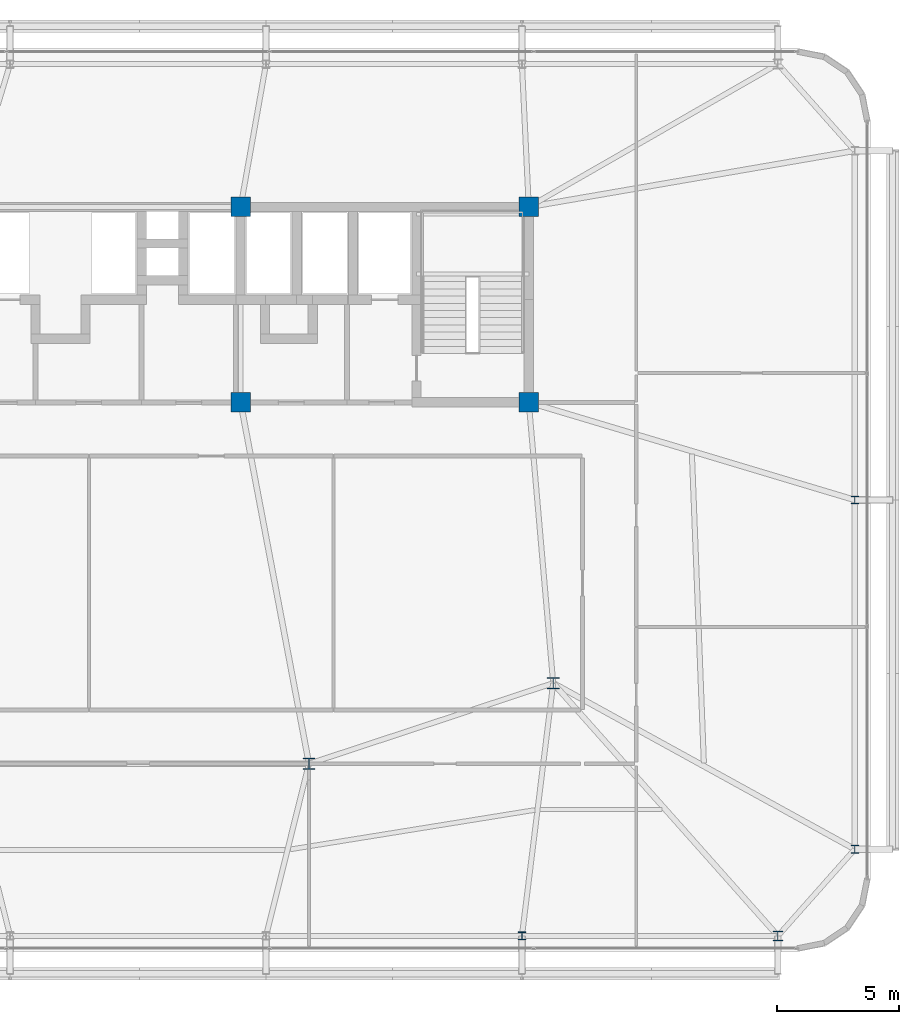
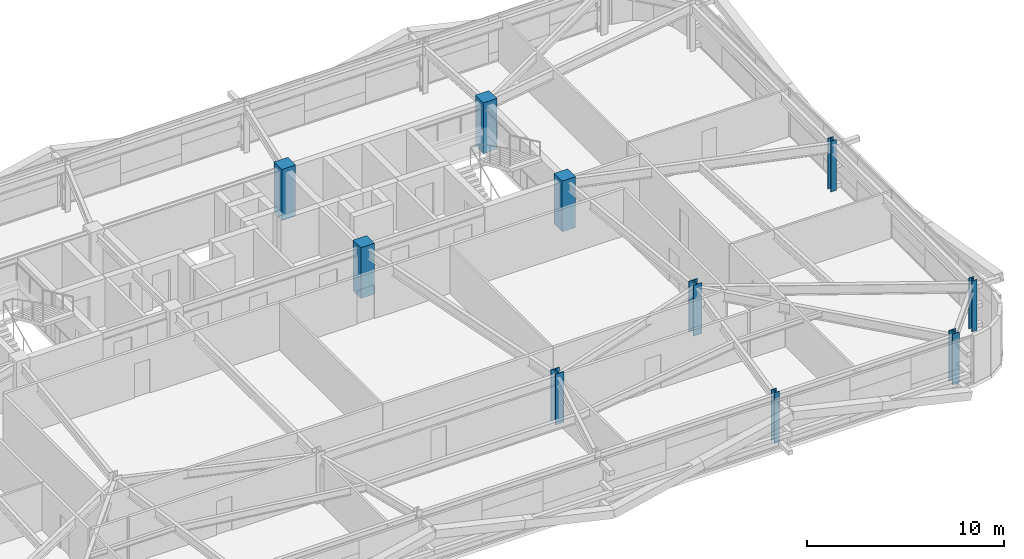
# One storey, part 2 of 44: 10 columns.
"""IFC4 building model written with IfcOpenShell, lengths in metres."""

from ifc_helpers import new_model, si_unit, direction, frame, origin, origin_2d, place, context, subcontext, project, spatial, rectangle, i_section, extrude, source, transform, mapped, material, material_profile, profile_set, type_object, element, save


model = new_model("IFC4")

# Units and contexts
model_context = context("Model", 3, precision=1e-05, world=origin(), true_north=direction((0.0, 1.0)))
body_context = subcontext(model_context, "Body", "Model", "MODEL_VIEW")
ifc_project = project(units=[si_unit("LENGTHUNIT", "METRE"), si_unit("AREAUNIT", "SQUARE_METRE"), si_unit("VOLUMEUNIT", "CUBIC_METRE"), si_unit("PLANEANGLEUNIT", "RADIAN"), si_unit("MASSUNIT", "GRAM", prefix="KILO")], contexts=[model_context])

# Site, building, storey
site_placement = place(None, origin())
site = spatial("IfcSite", under=ifc_project, at=site_placement, CompositionType="ELEMENT")
building_placement = place(site_placement, origin())
building = spatial("IfcBuilding", under=site, at=building_placement, Name="Taldren Reach Tower", CompositionType="ELEMENT")
storey_placement = place(building_placement, frame((0.0, 0.0, 38.85009765625)))
storey = spatial("IfcBuildingStorey", under=building, at=storey_placement, Name="L11", CompositionType="ELEMENT", Elevation=38.85009765625)

# Columns
ifc_material_1 = material(Name="Steel Gr 350 (350PLUS)", Category="steel")
ifc_material_profile_1 = material_profile(ifc_material_1, i_section(OverallWidth=0.5, OverallDepth=0.47998046875, WebThickness=0.028076171875, FlangeThickness=0.0439453125, at=origin_2d()), Name="500WC440")
ifc_profile_set_1 = profile_set([ifc_material_profile_1], Name="Steel Gr 350 (350PLUS)")
column_type_1 = type_object("IfcColumnType", Name="COL-WC500A", PredefinedType="COLUMN", material=ifc_profile_set_1)
shared_shape_1 = source(origin(), body_context, "Body", "SweptSolid", [
    extrude(i_section(OverallWidth=0.5, OverallDepth=0.47998046875, WebThickness=0.028076171875, FlangeThickness=0.0439453125, at=origin_2d()), origin(), (0.0, 0.0, 1.0), 3.14990234375),
])
column_1_placement = place(storey_placement, frame((42.0, 9.199951171875, 0.0), z_axis=(0.0, 0.0, 1.0), x_axis=(1.0, 0.0, 0.0)))
element("IfcColumn", 1, at=column_1_placement, inside=storey, type_object=column_type_1, Name="Mega column MC-PJE L11", PredefinedType="COLUMN", context=body_context, shape_type="MappedRepresentation", body=[
    mapped(shared_shape_1, transform((0.0, 0.0, 0.0), scale=1.0)),
])
ifc_material_profile_2 = material_profile(ifc_material_1, i_section(OverallWidth=0.39990234375, OverallDepth=0.39599609375, WebThickness=0.02197265625, FlangeThickness=0.033935546875, at=origin_2d()), Name="400WC270")
ifc_profile_set_2 = profile_set([ifc_material_profile_2], Name="Steel Gr 350 (350PLUS)")
column_type_2 = type_object("IfcColumnType", Name="COL-WC400", PredefinedType="COLUMN", material=ifc_profile_set_2)
shared_shape_2 = source(origin(), body_context, "Body", "SweptSolid", [
    extrude(i_section(OverallWidth=0.39990234375, OverallDepth=0.39599609375, WebThickness=0.02197265625, FlangeThickness=0.033935546875, at=origin_2d()), origin(), (0.0, 0.0, 1.0), 3.14990234375),
])
column_2_placement = place(storey_placement, frame((61.199951171875, 2.14990234375, 0.0), z_axis=(0.0, 0.0, 1.0), x_axis=(1.0, 0.0, 0.0)))
element("IfcColumn", 2, at=column_2_placement, inside=storey, type_object=column_type_2, Name="Block B1 perimeter column S6 L11", PredefinedType="COLUMN", context=body_context, shape_type="MappedRepresentation", body=[
    mapped(shared_shape_2, transform((0.0, 0.0, 0.0), scale=1.0)),
])
ifc_material_profile_3 = material_profile(ifc_material_1, i_section(OverallWidth=0.31103515625, OverallDepth=0.326904296875, WebThickness=0.015625, FlangeThickness=0.02490234375, at=origin_2d()), Name="310UC158")
ifc_profile_set_3 = profile_set([ifc_material_profile_3], Name="Steel Gr 350 (350PLUS)")
column_type_3 = type_object("IfcColumnType", Name="COL-UC310A", PredefinedType="COLUMN", material=ifc_profile_set_3)
shared_shape_3 = source(origin(), body_context, "Body", "SweptSolid", [
    extrude(i_section(OverallWidth=0.31103515625, OverallDepth=0.326904296875, WebThickness=0.015625, FlangeThickness=0.02490234375, at=origin_2d()), origin(), (0.0, 0.0, 1.0), 3.14990234375),
])
for number, where, z_axis, x_axis, name in (
    (3, (50.719970703125, 2.14990234375, 0.0), (0.0, 0.0, 1.0), (1.0, 0.0, 0.0), "Block B1 perimeter column S5 L11"),
    (4, (64.35009765625, 5.699951171875, 0.0), (0.0, 0.0, 1.0), (1.0, 0.0, 0.0), "Block B1 perimeter column E1 L11"),
    (5, (64.35009765625, 20.0, 0.0), (0.0, 0.0, 1.0), (1.0, 0.0, 0.0), "Block B1 perimeter column E2 L11"),
):
    element("IfcColumn", number, at=place(storey_placement, frame(where, z_axis=z_axis, x_axis=x_axis)), inside=storey, type_object=column_type_3, Name=name, PredefinedType="COLUMN", context=body_context, shape_type="MappedRepresentation", body=[
        mapped(shared_shape_3, transform((0.0, 0.0, 0.0), scale=1.0)),
    ])
ifc_material_2 = material(Name="Concrete S65 (65 MPa)", Category="concrete")
ifc_material_profile_4 = material_profile(ifc_material_2, rectangle(XDim=0.800048828125, YDim=0.800048828125, at=origin_2d()), Name="RC-800x800")
ifc_profile_set_4 = profile_set([ifc_material_profile_4], Name="Concrete S65 (65 MPa)")
column_type_4 = type_object("IfcColumnType", Name="COL-RC800", PredefinedType="COLUMN", material=ifc_profile_set_4)
shared_shape_4 = source(origin(), body_context, "Body", "SweptSolid", [
    extrude(rectangle(XDim=0.800048828125, YDim=0.800048828125, at=origin_2d()), origin(), (0.0, 0.0, 1.0), 3.14990234375),
])
for number, where, z_axis, x_axis, name in (
    (6, (39.199951171875, 24.0, 0.0), (0.0, 0.0, 1.0), (1.0, 0.0, 0.0), "Mega column MC-C3 L11"),
    (7, (51.0, 24.0, 0.0), (0.0, 0.0, 1.0), (1.0, 0.0, 0.0), "Mega column MC-C4 L11"),
    (8, (39.199951171875, 32.0, 0.0), (0.0, 0.0, 1.0), (1.0, 0.0, 0.0), "Mega column MC-C7 L11"),
    (9, (51.0, 32.0, 0.0), (0.0, 0.0, 1.0), (1.0, 0.0, 0.0), "Mega column MC-C8 L11"),
):
    element("IfcColumn", number, at=place(storey_placement, frame(where, z_axis=z_axis, x_axis=x_axis)), inside=storey, type_object=column_type_4, Name=name, PredefinedType="COLUMN", context=body_context, shape_type="MappedRepresentation", body=[
        mapped(shared_shape_4, transform((0.0, 0.0, 0.0), scale=1.0)),
    ])
ifc_material_profile_5 = material_profile(ifc_material_1, i_section(OverallWidth=0.5, OverallDepth=0.464111328125, WebThickness=0.02197265625, FlangeThickness=0.033935546875, at=origin_2d()), Name="500WC340")
ifc_profile_set_5 = profile_set([ifc_material_profile_5], Name="Steel Gr 350 (350PLUS)")
column_type_5 = type_object("IfcColumnType", Name="COL-WC500B", PredefinedType="COLUMN", material=ifc_profile_set_5)
shared_shape_5 = source(origin(), body_context, "Body", "SweptSolid", [
    extrude(i_section(OverallWidth=0.5, OverallDepth=0.464111328125, WebThickness=0.02197265625, FlangeThickness=0.033935546875, at=origin_2d()), origin(), (0.0, 0.0, 1.0), 3.14990234375),
])
column_3_placement = place(storey_placement, frame((52.0, 12.5, 0.0), z_axis=(0.0, 0.0, 1.0), x_axis=(1.0, 0.0, 0.0)))
element("IfcColumn", 10, at=column_3_placement, inside=storey, type_object=column_type_5, Name="Mega column MC-SE L11", PredefinedType="COLUMN", context=body_context, shape_type="MappedRepresentation", body=[
    mapped(shared_shape_5, transform((0.0, 0.0, 0.0), scale=1.0)),
])

save(model, "model.ifc")
